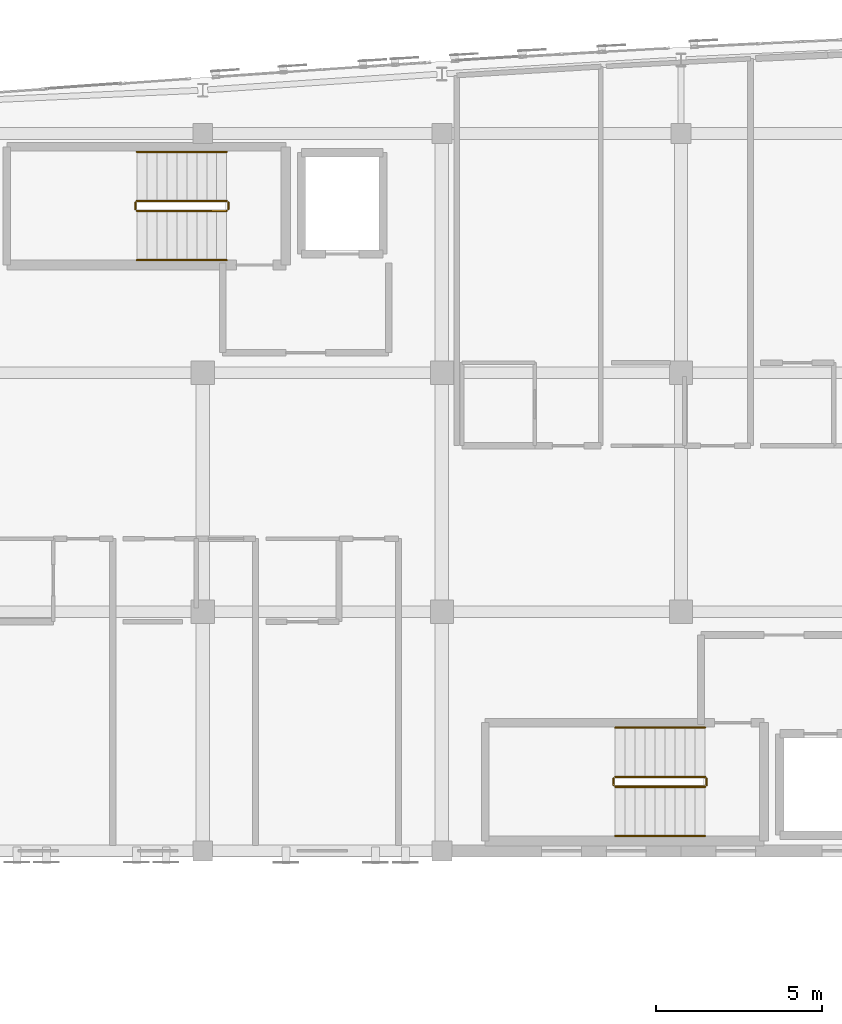
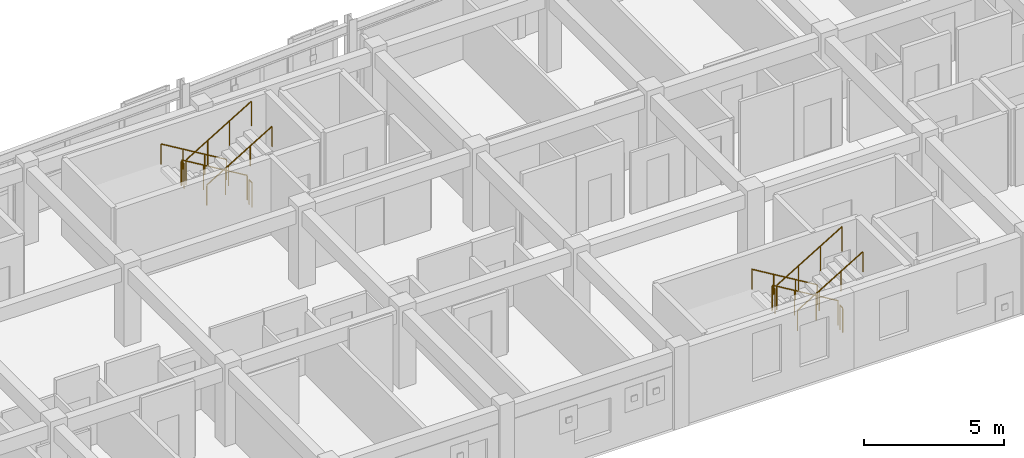
# One storey, part 49 of 50: 12 railings.
"""IFC4 building model written with IfcOpenShell, lengths in metres."""

from ifc_helpers import new_model, si_unit, direction, frame, origin, origin_2d, place, context, subcontext, project, spatial, circle, extrude, material, layer, layer_set, type_object, element, save


model = new_model("IFC4")

# Units and contexts
model_context = context("Model", 3, precision=1e-05, world=origin(), true_north=direction((0.0, 1.0)))
body_context = subcontext(model_context, "Body", "Model", "MODEL_VIEW")
ifc_project = project(units=[si_unit("LENGTHUNIT", "METRE"), si_unit("AREAUNIT", "SQUARE_METRE"), si_unit("VOLUMEUNIT", "CUBIC_METRE"), si_unit("PLANEANGLEUNIT", "RADIAN"), si_unit("MASSUNIT", "GRAM", prefix="KILO")], contexts=[model_context])

# Site, building, storey
site_placement = place(None, origin())
site = spatial("IfcSite", under=ifc_project, at=site_placement, CompositionType="ELEMENT")
building_placement = place(site_placement, origin())
building = spatial("IfcBuilding", under=site, at=building_placement, Name="Carrowvane Square Congress Hotel", CompositionType="ELEMENT")
storey_placement = place(building_placement, frame((0.0, 0.0, 22.800048828125)))
storey = spatial("IfcBuildingStorey", under=building, at=storey_placement, Name="L05", CompositionType="ELEMENT", Elevation=22.800048828125)

# Railings
ifc_material_1 = material(Name="Stainless steel 316", Category="steel")
ifc_layer_1 = layer(ifc_material_1, 0.048095703125)
ifc_layer_set_1 = layer_set([ifc_layer_1], Name="Stainless steel 316")
railing_type_1 = type_object("IfcRailingType", Name="RLG-HR-900", PredefinedType="HANDRAIL", material=ifc_layer_set_1)
railing_1_placement = place(storey_placement, frame((62.719970703125, 112.85009765625, 0.179931640625)))
element("IfcRailing", 1, at=railing_1_placement, inside=storey, type_object=railing_type_1, Name="L05 ST1 stair handrail 1", PredefinedType="HANDRAIL", context=body_context, shape_type="SweptSolid", body=[
    extrude(circle(Radius=0.02392578125, at=origin_2d()), frame((0.0, 0.0, 0.8759765625), z_axis=(-0.857472400752, 0.0, 0.514529962148), x_axis=(0.0, -1.0, 0.0)), (0.0, 0.0, 1.0), 3.148681640625),
    extrude(circle(Radius=0.02099609375, at=origin_2d()), origin(), (0.0, 0.0, 1.0), 0.851806640625),
    extrude(circle(Radius=0.02099609375, at=origin_2d()), frame((-0.89990234375, 0.0, 0.5400390625)), (0.0, 0.0, 1.0), 0.851806640625),
    extrude(circle(Radius=0.02099609375, at=origin_2d()), frame((-1.800048828125, 0.0, 1.080078125)), (0.0, 0.0, 1.0), 0.851806640625),
    extrude(circle(Radius=0.02099609375, at=origin_2d()), frame((-2.699951171875, 0.0, 1.6201171875)), (0.0, 0.0, 1.0), 0.851806640625),
])
railing_2_placement = place(storey_placement, frame((60.02001953125, 109.590087890625, 1.97998046875)))
element("IfcRailing", 2, at=railing_2_placement, inside=storey, type_object=railing_type_1, Name="L05 ST1 stair handrail 2", PredefinedType="HANDRAIL", context=body_context, shape_type="SweptSolid", body=[
    extrude(circle(Radius=0.02392578125, at=origin_2d()), frame((0.0, 0.0, 0.8759765625), z_axis=(0.857506608807, 0.0, 0.514472949583), x_axis=(0.0, 1.0, 0.0)), (0.0, 0.0, 1.0), 3.148681640625),
    extrude(circle(Radius=0.02099609375, at=origin_2d()), origin(), (0.0, 0.0, 1.0), 0.851806640625),
    extrude(circle(Radius=0.02099609375, at=origin_2d()), frame((0.89990234375, 0.0, 0.5400390625)), (0.0, 0.0, 1.0), 0.851806640625),
    extrude(circle(Radius=0.02099609375, at=origin_2d()), frame((1.800048828125, 0.0, 1.079833984375)), (0.0, 0.0, 1.0), 0.851806640625),
    extrude(circle(Radius=0.02099609375, at=origin_2d()), frame((2.699951171875, 0.0, 1.619873046875)), (0.0, 0.0, 1.0), 0.851806640625),
])
railing_3_placement = place(storey_placement, frame((77.1201171875, 95.510009765625, 0.179931640625)))
element("IfcRailing", 3, at=railing_3_placement, inside=storey, type_object=railing_type_1, Name="L05 ST2 stair handrail 1", PredefinedType="HANDRAIL", context=body_context, shape_type="SweptSolid", body=[
    extrude(circle(Radius=0.02392578125, at=origin_2d()), frame((0.0, 0.0, 0.8759765625), z_axis=(-0.857492925713, 0.0, 0.514495755428), x_axis=(0.0, -1.0, 0.0)), (0.0, 0.0, 1.0), 3.14892578125),
    extrude(circle(Radius=0.02099609375, at=origin_2d()), origin(), (0.0, 0.0, 1.0), 0.851806640625),
    extrude(circle(Radius=0.02099609375, at=origin_2d()), frame((-0.900146484375, 0.0, 0.5400390625)), (0.0, 0.0, 1.0), 0.851806640625),
    extrude(circle(Radius=0.02099609375, at=origin_2d()), frame((-1.800048828125, 0.0, 1.080078125)), (0.0, 0.0, 1.0), 0.851806640625),
    extrude(circle(Radius=0.02099609375, at=origin_2d()), frame((-2.7001953125, 0.0, 1.6201171875)), (0.0, 0.0, 1.0), 0.851806640625),
])
railing_4_placement = place(storey_placement, frame((74.419921875, 92.25, 1.97998046875)))
element("IfcRailing", 4, at=railing_4_placement, inside=storey, type_object=railing_type_1, Name="L05 ST2 stair handrail 2", PredefinedType="HANDRAIL", context=body_context, shape_type="SweptSolid", body=[
    extrude(circle(Radius=0.02392578125, at=origin_2d()), frame((0.0, 0.0, 0.8759765625), z_axis=(0.857527130037, 0.0, 0.514438743924), x_axis=(0.0, 1.0, 0.0)), (0.0, 0.0, 1.0), 3.14892578125),
    extrude(circle(Radius=0.02099609375, at=origin_2d()), origin(), (0.0, 0.0, 1.0), 0.851806640625),
    extrude(circle(Radius=0.02099609375, at=origin_2d()), frame((0.900146484375, 0.0, 0.5400390625)), (0.0, 0.0, 1.0), 0.851806640625),
    extrude(circle(Radius=0.02099609375, at=origin_2d()), frame((1.800048828125, 0.0, 1.079833984375)), (0.0, 0.0, 1.0), 0.851806640625),
    extrude(circle(Radius=0.02099609375, at=origin_2d()), frame((2.7001953125, 0.0, 1.619873046875)), (0.0, 0.0, 1.0), 0.851806640625),
])
ifc_material_2 = material(Name="Galvanised steel", Category="steel")
ifc_layer_2 = layer(ifc_material_2, 0.048095703125)
ifc_layer_set_2 = layer_set([ifc_layer_2], Name="Galvanised steel")
railing_type_2 = type_object("IfcRailingType", Name="RLG-STG-1100", PredefinedType="GUARDRAIL", material=ifc_layer_set_2)
railing_5_placement = place(storey_placement, frame((62.719970703125, 111.3701171875, 0.179931640625)))
element("IfcRailing", 5, at=railing_5_placement, inside=storey, type_object=railing_type_2, Name="L05 ST1 stair guard 1", PredefinedType="GUARDRAIL", context=body_context, shape_type="SweptSolid", body=[
    extrude(circle(Radius=0.02392578125, at=origin_2d()), frame((0.0, 0.0, 1.076171875), z_axis=(-0.857472400752, 0.0, 0.514529962148), x_axis=(0.0, -1.0, 0.0)), (0.0, 0.0, 1.0), 3.148681640625),
    extrude(circle(Radius=0.02099609375, at=origin_2d()), origin(), (0.0, 0.0, 1.0), 1.052001953125),
    extrude(circle(Radius=0.02099609375, at=origin_2d()), frame((-0.89990234375, 0.0, 0.5400390625)), (0.0, 0.0, 1.0), 1.052001953125),
    extrude(circle(Radius=0.02099609375, at=origin_2d()), frame((-1.800048828125, 0.0, 1.080078125)), (0.0, 0.0, 1.0), 1.052001953125),
    extrude(circle(Radius=0.02099609375, at=origin_2d()), frame((-2.699951171875, 0.0, 1.6201171875)), (0.0, 0.0, 1.0), 1.052001953125),
])
railing_6_placement = place(storey_placement, frame((59.969970703125, 111.320068359375, 1.800048828125)))
element("IfcRailing", 6, at=railing_6_placement, inside=storey, type_object=railing_type_2, Name="L05 ST1 stair guard 2", PredefinedType="GUARDRAIL", context=body_context, shape_type="SweptSolid", body=[
    extrude(circle(Radius=0.02392578125, at=origin_2d()), frame((0.0, 0.0, 1.076171875), z_axis=(0.0, -1.0, 0.0), x_axis=(1.0, 0.0, 0.0)), (0.0, 0.0, 1.0), 0.199951171875),
    extrude(circle(Radius=0.02099609375, at=origin_2d()), origin(), (0.0, 0.0, 1.0), 1.052001953125),
    extrude(circle(Radius=0.02099609375, at=origin_2d()), frame((0.0, -0.199951171875, 0.0)), (0.0, 0.0, 1.0), 1.052001953125),
])
railing_7_placement = place(storey_placement, frame((60.02001953125, 111.070068359375, 1.97998046875)))
element("IfcRailing", 7, at=railing_7_placement, inside=storey, type_object=railing_type_2, Name="L05 ST1 stair guard 3", PredefinedType="GUARDRAIL", context=body_context, shape_type="SweptSolid", body=[
    extrude(circle(Radius=0.02392578125, at=origin_2d()), frame((0.0, 0.0, 1.076171875), z_axis=(0.857506608807, 0.0, 0.514472949583), x_axis=(0.0, 1.0, 0.0)), (0.0, 0.0, 1.0), 3.148681640625),
    extrude(circle(Radius=0.02099609375, at=origin_2d()), origin(), (0.0, 0.0, 1.0), 1.052001953125),
    extrude(circle(Radius=0.02099609375, at=origin_2d()), frame((0.89990234375, 0.0, 0.5400390625)), (0.0, 0.0, 1.0), 1.052001953125),
    extrude(circle(Radius=0.02099609375, at=origin_2d()), frame((1.800048828125, 0.0, 1.079833984375)), (0.0, 0.0, 1.0), 1.052001953125),
    extrude(circle(Radius=0.02099609375, at=origin_2d()), frame((2.699951171875, 0.0, 1.619873046875)), (0.0, 0.0, 1.0), 1.052001953125),
])
railing_8_placement = place(storey_placement, frame((62.77001953125, 111.320068359375, 0.0)))
element("IfcRailing", 8, at=railing_8_placement, inside=storey, type_object=railing_type_2, Name="L05 ST1 stair guard 4", PredefinedType="GUARDRAIL", context=body_context, shape_type="SweptSolid", body=[
    extrude(circle(Radius=0.02392578125, at=origin_2d()), frame((0.0, 0.0, 1.076171875), z_axis=(0.0, -1.0, 0.0), x_axis=(1.0, 0.0, 0.0)), (0.0, 0.0, 1.0), 0.199951171875),
    extrude(circle(Radius=0.02099609375, at=origin_2d()), origin(), (0.0, 0.0, 1.0), 1.052001953125),
    extrude(circle(Radius=0.02099609375, at=origin_2d()), frame((0.0, -0.199951171875, 0.0)), (0.0, 0.0, 1.0), 1.052001953125),
])
railing_9_placement = place(storey_placement, frame((77.1201171875, 94.030029296875, 0.179931640625)))
element("IfcRailing", 9, at=railing_9_placement, inside=storey, type_object=railing_type_2, Name="L05 ST2 stair guard 1", PredefinedType="GUARDRAIL", context=body_context, shape_type="SweptSolid", body=[
    extrude(circle(Radius=0.02392578125, at=origin_2d()), frame((0.0, 0.0, 1.076171875), z_axis=(-0.857492925713, 0.0, 0.514495755428), x_axis=(0.0, -1.0, 0.0)), (0.0, 0.0, 1.0), 3.14892578125),
    extrude(circle(Radius=0.02099609375, at=origin_2d()), origin(), (0.0, 0.0, 1.0), 1.052001953125),
    extrude(circle(Radius=0.02099609375, at=origin_2d()), frame((-0.900146484375, 0.0, 0.5400390625)), (0.0, 0.0, 1.0), 1.052001953125),
    extrude(circle(Radius=0.02099609375, at=origin_2d()), frame((-1.800048828125, 0.0, 1.080078125)), (0.0, 0.0, 1.0), 1.052001953125),
    extrude(circle(Radius=0.02099609375, at=origin_2d()), frame((-2.7001953125, 0.0, 1.6201171875)), (0.0, 0.0, 1.0), 1.052001953125),
])
railing_10_placement = place(storey_placement, frame((74.3701171875, 93.97998046875, 1.800048828125)))
element("IfcRailing", 10, at=railing_10_placement, inside=storey, type_object=railing_type_2, Name="L05 ST2 stair guard 2", PredefinedType="GUARDRAIL", context=body_context, shape_type="SweptSolid", body=[
    extrude(circle(Radius=0.02392578125, at=origin_2d()), frame((0.0, 0.0, 1.076171875), z_axis=(0.0, -1.0, 0.0), x_axis=(1.0, 0.0, 0.0)), (0.0, 0.0, 1.0), 0.199951171875),
    extrude(circle(Radius=0.02099609375, at=origin_2d()), origin(), (0.0, 0.0, 1.0), 1.052001953125),
    extrude(circle(Radius=0.02099609375, at=origin_2d()), frame((0.0, -0.199951171875, 0.0)), (0.0, 0.0, 1.0), 1.052001953125),
])
railing_11_placement = place(storey_placement, frame((74.419921875, 93.72998046875, 1.97998046875)))
element("IfcRailing", 11, at=railing_11_placement, inside=storey, type_object=railing_type_2, Name="L05 ST2 stair guard 3", PredefinedType="GUARDRAIL", context=body_context, shape_type="SweptSolid", body=[
    extrude(circle(Radius=0.02392578125, at=origin_2d()), frame((0.0, 0.0, 1.076171875), z_axis=(0.857527130037, 0.0, 0.514438743924), x_axis=(0.0, 1.0, 0.0)), (0.0, 0.0, 1.0), 3.14892578125),
    extrude(circle(Radius=0.02099609375, at=origin_2d()), origin(), (0.0, 0.0, 1.0), 1.052001953125),
    extrude(circle(Radius=0.02099609375, at=origin_2d()), frame((0.900146484375, 0.0, 0.5400390625)), (0.0, 0.0, 1.0), 1.052001953125),
    extrude(circle(Radius=0.02099609375, at=origin_2d()), frame((1.800048828125, 0.0, 1.079833984375)), (0.0, 0.0, 1.0), 1.052001953125),
    extrude(circle(Radius=0.02099609375, at=origin_2d()), frame((2.7001953125, 0.0, 1.619873046875)), (0.0, 0.0, 1.0), 1.052001953125),
])
railing_12_placement = place(storey_placement, frame((77.169921875, 93.97998046875, 0.0)))
element("IfcRailing", 12, at=railing_12_placement, inside=storey, type_object=railing_type_2, Name="L05 ST2 stair guard 4", PredefinedType="GUARDRAIL", context=body_context, shape_type="SweptSolid", body=[
    extrude(circle(Radius=0.02392578125, at=origin_2d()), frame((0.0, 0.0, 1.076171875), z_axis=(0.0, -1.0, 0.0), x_axis=(1.0, 0.0, 0.0)), (0.0, 0.0, 1.0), 0.199951171875),
    extrude(circle(Radius=0.02099609375, at=origin_2d()), origin(), (0.0, 0.0, 1.0), 1.052001953125),
    extrude(circle(Radius=0.02099609375, at=origin_2d()), frame((0.0, -0.199951171875, 0.0)), (0.0, 0.0, 1.0), 1.052001953125),
])

save(model, "model.ifc")
